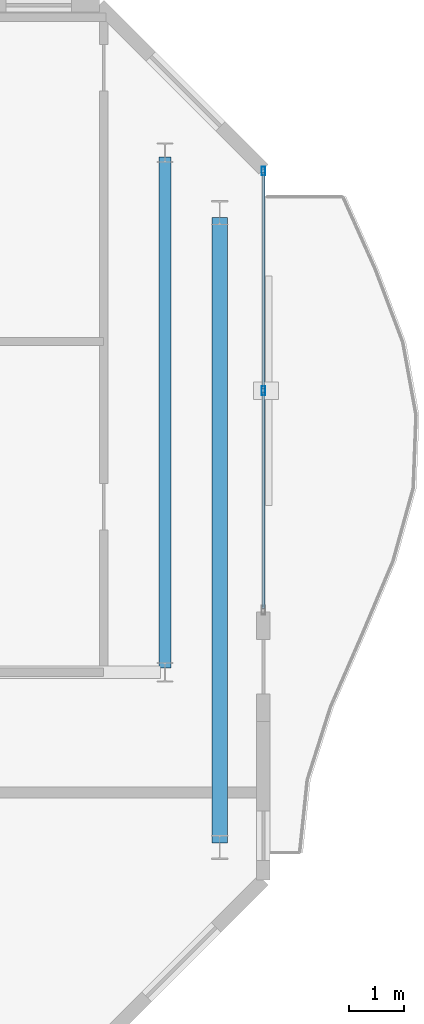
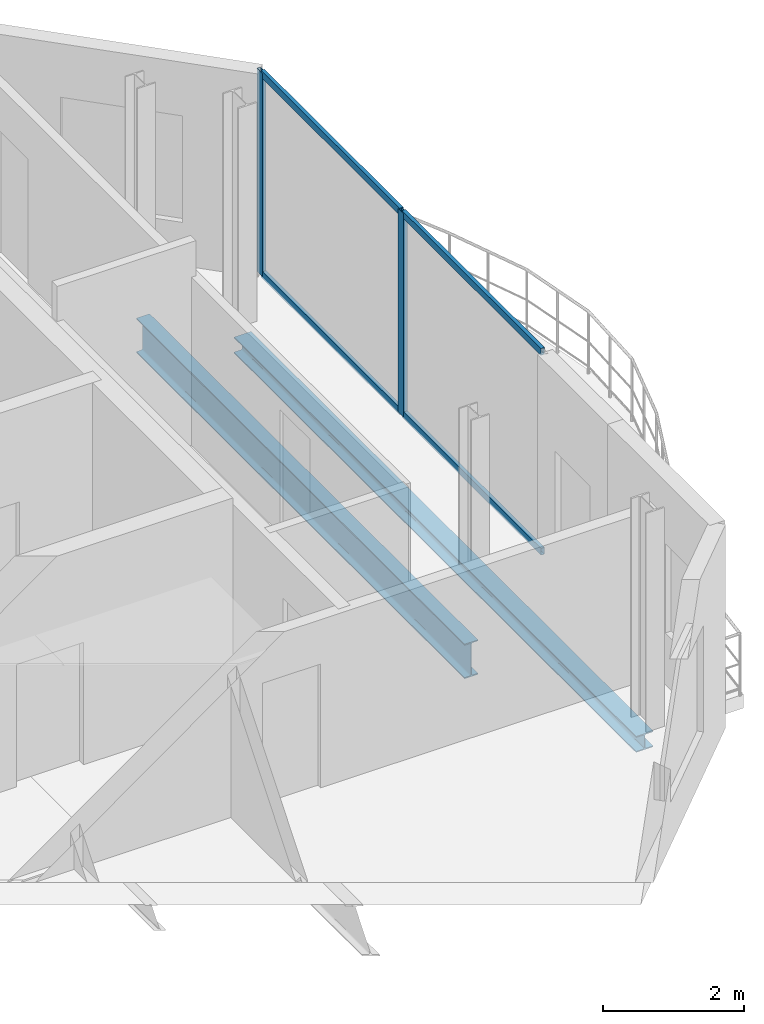
# One storey, part 15 of 22: 6 members, 2 beams, 1 element without a shape of its own.
"""IFC4 building model written with IfcOpenShell, lengths in metres."""

from ifc_helpers import new_model, si_unit, direction, frame, origin, origin_2d, place, context, subcontext, project, spatial, hollow_rectangle, i_section, extrude, material, layer, layer_set, material_profile, profile_set, type_object, element, aggregate, save


model = new_model("IFC4")

# Units and contexts
model_context = context("Model", 3, precision=1e-05, world=origin(), true_north=direction((0.0, 1.0)))
body_context = subcontext(model_context, "Body", "Model", "MODEL_VIEW")
ifc_project = project(units=[si_unit("LENGTHUNIT", "METRE"), si_unit("AREAUNIT", "SQUARE_METRE"), si_unit("VOLUMEUNIT", "CUBIC_METRE"), si_unit("PLANEANGLEUNIT", "RADIAN"), si_unit("MASSUNIT", "GRAM", prefix="KILO")], contexts=[model_context])

# Site, building, storey
site_placement = place(None, origin())
site = spatial("IfcSite", under=ifc_project, at=site_placement, CompositionType="ELEMENT")
building_placement = place(site_placement, origin())
building = spatial("IfcBuilding", under=site, at=building_placement, Name="Catumbela Crestline Tower", CompositionType="ELEMENT")
storey_placement = place(building_placement, frame((0.0, 0.0, 222.2)))
storey = spatial("IfcBuildingStorey", under=building, at=storey_placement, Name="L57", CompositionType="ELEMENT", Elevation=222.2)

# Beam
ifc_material_1 = material(Name="Structural steel S355J2", Category="steel")
ifc_material_profile_1 = material_profile(ifc_material_1, i_section(OverallWidth=0.22, OverallDepth=0.6, WebThickness=0.012, FlangeThickness=0.019, FilletRadius=0.024, at=origin_2d()), Name="IPE 600")
ifc_profile_set_1 = profile_set([ifc_material_profile_1], Name="Structural steel S355J2")
beam_type_1 = type_object("IfcBeamType", Name="BG-IPE600", PredefinedType="BEAM", material=ifc_profile_set_1)
beam_1_placement = place(storey_placement, frame((44.2, 30.88, -0.56), z_axis=(0.0, 1.0, 0.0), x_axis=(-1.0, 0.0, 0.0)))
element("IfcBeam", 1, at=beam_1_placement, inside=storey, type_object=beam_type_1, Name="L57 Beam BM-L57-SN19", PredefinedType="BEAM", context=body_context, shape_type="SweptSolid", body=[
    extrude(i_section(OverallWidth=0.22, OverallDepth=0.6, WebThickness=0.012, FlangeThickness=0.019, FilletRadius=0.024, at=origin_2d()), origin(), (0.0, 0.0, 1.0), 9.34),
])

# Curtain wall, members
ifc_material_2 = material(Name="Aluminium alloy AW-6060-T66", Category="aluminium")
ifc_layer = layer(ifc_material_2, 0.18, Name="Aluminium alloy AW-6060-T66")
ifc_layer_set = layer_set([ifc_layer], Name="Aluminium alloy AW-6060-T66")
curtain_wall_type = type_object("IfcCurtainWallType", Name="CWU-Z4", PredefinedType="USERDEFINED", material=ifc_layer_set)
curtain_wall_placement = place(storey_placement, origin())
curtain_wall = element("IfcCurtainWall", 2, at=curtain_wall_placement, inside=storey, type_object=curtain_wall_type, Name="L57 Unitised Curtain Wall CW-L57-E5S2", ObjectType="UNITISED", PredefinedType="USERDEFINED")
ifc_material_profile_2 = material_profile(ifc_material_2, hollow_rectangle(XDim=0.06, YDim=0.16, WallThickness=0.004, at=origin_2d()), Name="ALU 160x60x4")
ifc_profile_set_2 = profile_set([ifc_material_profile_2], Name="Aluminium alloy AW-6060-T66")
member_type_1 = type_object("IfcMemberType", Name="MUL-160X60", PredefinedType="MULLION", material=ifc_profile_set_2)
member_1_placement = place(storey_placement, frame((46.0, 35.95, 0.0), z_axis=(0.0, 0.0, 1.0), x_axis=(-1.0, 0.0, 0.0)))
member_1 = element("IfcMember", 3, at=member_1_placement, type_object=member_type_1, Name="CWU-Z4 mullion 2", PredefinedType="MULLION", context=body_context, shape_type="SweptSolid", body=[
    extrude(hollow_rectangle(XDim=0.06, YDim=0.16, WallThickness=0.004, at=origin_2d()), origin(), (0.0, 0.0, 1.0), 3.53),
])
member_2_placement = place(storey_placement, frame((46.0, 39.9675, 0.0), z_axis=(0.0, 0.0, 1.0), x_axis=(-1.0, 0.0, 0.0)))
member_2 = element("IfcMember", 4, at=member_2_placement, type_object=member_type_1, Name="CWU-Z4 mullion 3", PredefinedType="MULLION", context=body_context, shape_type="SweptSolid", body=[
    extrude(hollow_rectangle(XDim=0.06, YDim=0.16, WallThickness=0.004, at=origin_2d()), origin(), (0.0, 0.0, 1.0), 3.53),
])

# Beam
ifc_material_profile_3 = material_profile(ifc_material_1, i_section(OverallWidth=0.28, OverallDepth=0.28, WebThickness=0.0105, FlangeThickness=0.018, FilletRadius=0.024, at=origin_2d()), Name="HEB 280")
ifc_profile_set_3 = profile_set([ifc_material_profile_3], Name="Structural steel S355J2")
beam_type_2 = type_object("IfcBeamType", Name="BS-HEB280", PredefinedType="SPANDREL", material=ifc_profile_set_3)
beam_2_placement = place(storey_placement, frame((45.2, 27.68, -0.4), z_axis=(0.0, 1.0, 0.0), x_axis=(-1.0, 0.0, 0.0)))
element("IfcBeam", 5, at=beam_2_placement, inside=storey, type_object=beam_type_2, Name="L57 Spandrel SP-L57-SN20", PredefinedType="SPANDREL", context=body_context, shape_type="SweptSolid", body=[
    extrude(i_section(OverallWidth=0.28, OverallDepth=0.28, WebThickness=0.0105, FlangeThickness=0.018, FilletRadius=0.024, at=origin_2d()), origin(), (0.0, 0.0, 1.0), 11.44),
])

# Member
ifc_material_profile_4 = material_profile(ifc_material_2, hollow_rectangle(XDim=0.06, YDim=0.12, WallThickness=0.0035, at=origin_2d()), Name="ALU 120x60x3.5")
ifc_profile_set_4 = profile_set([ifc_material_profile_4], Name="Aluminium alloy AW-6060-T66")
member_type_2 = type_object("IfcMemberType", Name="TRN-120X60", PredefinedType="USERDEFINED", material=ifc_profile_set_4)
member_3_placement = place(storey_placement, frame((46.0, 31.965, 0.03), z_axis=(0.0, 1.0, 0.0), x_axis=(-1.0, 0.0, 0.0)))
member_3 = element("IfcMember", 6, at=member_3_placement, type_object=member_type_2, Name="CWU-Z4 transom 1.1", ObjectType="TRANSOM", PredefinedType="USERDEFINED", context=body_context, shape_type="SweptSolid", body=[
    extrude(hollow_rectangle(XDim=0.06, YDim=0.12, WallThickness=0.0035, at=origin_2d()), origin(), (0.0, 0.0, 1.0), 3.9525),
])

member_4_placement = place(storey_placement, frame((46.0, 31.965, 3.5), z_axis=(0.0, 1.0, 0.0), x_axis=(-1.0, 0.0, 0.0)))
member_4 = element("IfcMember", 7, at=member_4_placement, type_object=member_type_2, Name="CWU-Z4 transom 1.2", ObjectType="TRANSOM", PredefinedType="USERDEFINED", context=body_context, shape_type="SweptSolid", body=[
    extrude(hollow_rectangle(XDim=0.06, YDim=0.12, WallThickness=0.0035, at=origin_2d()), origin(), (0.0, 0.0, 1.0), 3.9525),
])

member_5_placement = place(storey_placement, frame((46.0, 35.9825, 0.03), z_axis=(0.0, 1.0, 0.0), x_axis=(-1.0, 0.0, 0.0)))
member_5 = element("IfcMember", 8, at=member_5_placement, type_object=member_type_2, Name="CWU-Z4 transom 2.1", ObjectType="TRANSOM", PredefinedType="USERDEFINED", context=body_context, shape_type="SweptSolid", body=[
    extrude(hollow_rectangle(XDim=0.06, YDim=0.12, WallThickness=0.0035, at=origin_2d()), origin(), (0.0, 0.0, 1.0), 3.9525),
])

member_6_placement = place(storey_placement, frame((46.0, 35.9825, 3.5), z_axis=(0.0, 1.0, 0.0), x_axis=(-1.0, 0.0, 0.0)))
member_6 = element("IfcMember", 9, at=member_6_placement, type_object=member_type_2, Name="CWU-Z4 transom 2.2", ObjectType="TRANSOM", PredefinedType="USERDEFINED", context=body_context, shape_type="SweptSolid", body=[
    extrude(hollow_rectangle(XDim=0.06, YDim=0.12, WallThickness=0.0035, at=origin_2d()), origin(), (0.0, 0.0, 1.0), 3.9525),
])

aggregate(curtain_wall, [member_1, member_2, member_3, member_4, member_5, member_6])

save(model, "model.ifc")
